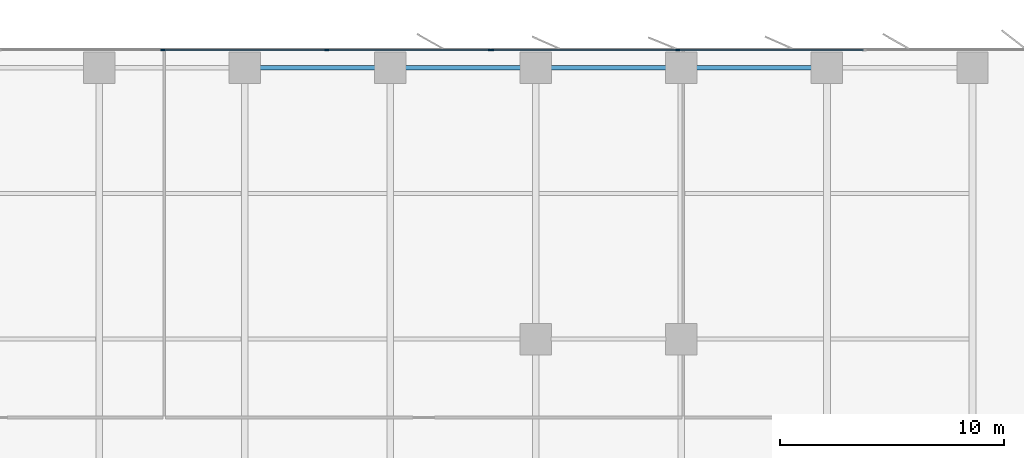
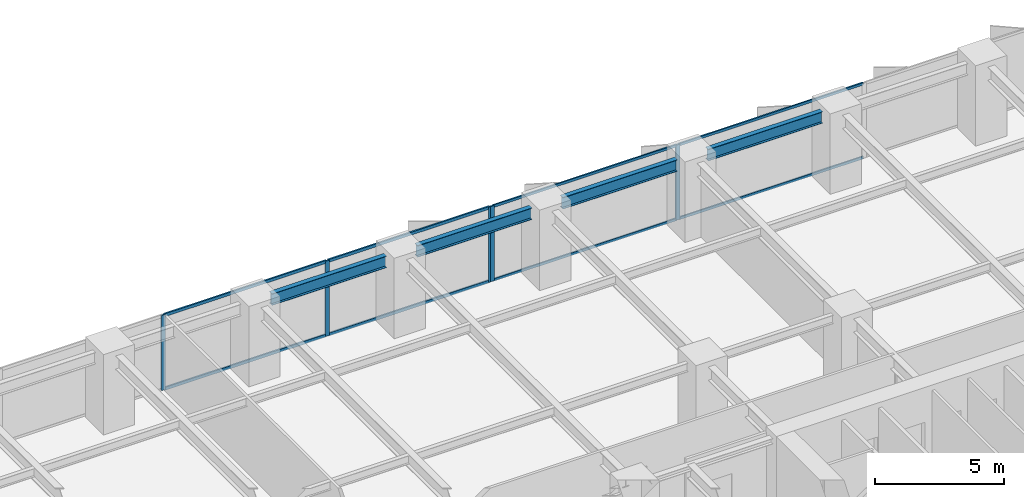
# One storey, part 9 of 20: 13 members, 4 beams, 2 elements without a shape of their own.
"""IFC4 building model written with IfcOpenShell, lengths in metres."""

from ifc_helpers import new_model, si_unit, direction, frame, origin, origin_2d, place, context, subcontext, project, spatial, rectangle, i_section, extrude, material, layer, layer_set, material_profile, profile_set, type_object, element, aggregate, save


model = new_model("IFC4")

# Units and contexts
model_context = context("Model", 3, precision=1e-05, world=origin(), true_north=direction((0.0, 1.0)))
body_context = subcontext(model_context, "Body", "Model", "MODEL_VIEW")
ifc_project = project(units=[si_unit("LENGTHUNIT", "METRE"), si_unit("AREAUNIT", "SQUARE_METRE"), si_unit("VOLUMEUNIT", "CUBIC_METRE"), si_unit("PLANEANGLEUNIT", "RADIAN"), si_unit("MASSUNIT", "GRAM", prefix="KILO")], contexts=[model_context])

# Site, building, storey
site_placement = place(None, origin())
site = spatial("IfcSite", under=ifc_project, at=site_placement, CompositionType="ELEMENT")
building_placement = place(site_placement, origin())
building = spatial("IfcBuilding", under=site, at=building_placement, Name="Putna Gate Headquarters", CompositionType="ELEMENT")
storey_placement = place(building_placement, frame((0.0, 0.0, 43.0)))
storey = spatial("IfcBuildingStorey", under=building, at=storey_placement, Name="L09", CompositionType="ELEMENT", Elevation=43.0)

# Beams
ifc_material_1 = material(Name="Steel S355J2", Category="steel")
ifc_material_profile_1 = material_profile(ifc_material_1, i_section(OverallWidth=0.2099609375, OverallDepth=0.550048828125, WebThickness=0.010986328125, FlangeThickness=0.01708984375, at=origin_2d()), Name="Steel S355J2")
ifc_profile_set_1 = profile_set([ifc_material_profile_1], Name="Steel S355J2")
beam_type = type_object("IfcBeamType", Name="BM-SPAN-Z1-IPE550", PredefinedType="SPANDREL", material=ifc_profile_set_1)
for number, where, z_axis, x_axis, name in (
    (1, (39.68798828125, 51.1201171875, 3.27490234375), (1.0, 0.0, 0.0), (0.0, 1.0, 0.0), "L09 N Perimeter Spandrel 6"),
    (2, (46.18798828125, 51.1201171875, 3.27490234375), (1.0, 0.0, 0.0), (0.0, 1.0, 0.0), "L09 N Perimeter Spandrel 7"),
    (3, (52.68798828125, 51.1201171875, 3.27490234375), (1.0, 0.0, 0.0), (0.0, 1.0, 0.0), "L09 N Perimeter Spandrel 8"),
    (4, (59.18798828125, 51.1201171875, 3.27490234375), (1.0, 0.0, 0.0), (0.0, 1.0, 0.0), "L09 N Perimeter Spandrel 9"),
):
    element("IfcBeam", number, at=place(storey_placement, frame(where, z_axis=z_axis, x_axis=x_axis)), inside=storey, type_object=beam_type, Name=name, PredefinedType="SPANDREL", context=body_context, shape_type="SweptSolid", body=[
        extrude(i_section(OverallWidth=0.2099609375, OverallDepth=0.550048828125, WebThickness=0.010986328125, FlangeThickness=0.01708984375, at=origin_2d()), origin(), (0.0, 0.0, 1.0), 5.1240234375),
    ])

# Curtain wall, members
ifc_material_2 = material(Name="Anodised bronze aluminium curtain wall", Category="aluminium")
ifc_layer_1 = layer(ifc_material_2, 0.179931640625)
ifc_layer_set_1 = layer_set([ifc_layer_1], Name="Anodised bronze aluminium curtain wall")
curtain_wall_type_1 = type_object("IfcCurtainWallType", Name="CW-SYS-Z1", PredefinedType="USERDEFINED", material=ifc_layer_set_1)
curtain_wall_1_placement = place(storey_placement, origin())
curtain_wall_1 = element("IfcCurtainWall", 5, at=curtain_wall_1_placement, inside=storey, type_object=curtain_wall_type_1, Name="L09 North East Curtain Wall", ObjectType="STICK CURTAIN WALL", PredefinedType="USERDEFINED")
ifc_material_3 = material(Name="Anodised bronze aluminium EN AW-6060", Category="aluminium")
ifc_material_profile_2 = material_profile(ifc_material_3, rectangle(XDim=0.070068359375, YDim=0.179931640625, at=origin_2d()), Name="Anodised bronze aluminium EN AW-6060")
ifc_profile_set_2 = profile_set([ifc_material_profile_2], Name="Anodised bronze aluminium EN AW-6060")
member_type_1 = type_object("IfcMemberType", Name="MULL-CWM-1", PredefinedType="MULLION", material=ifc_profile_set_2)
member_1_placement = place(storey_placement, frame((50.034912109375, 51.919921875, 0.0), z_axis=(0.0, 0.0, 1.0), x_axis=(0.0, 1.0, 0.0)))
member_1 = element("IfcMember", 6, at=member_1_placement, type_object=member_type_1, Name="CWS-1 mullion 1", PredefinedType="MULLION", context=body_context, shape_type="SweptSolid", body=[
    extrude(rectangle(XDim=0.070068359375, YDim=0.179931640625, at=origin_2d()), origin(), (0.0, 0.0, 1.0), 3.550048828125),
])
member_2_placement = place(storey_placement, frame((58.333251953125, 51.919921875, 0.0), z_axis=(0.0, 0.0, 1.0), x_axis=(0.0, 1.0, 0.0)))
member_2 = element("IfcMember", 7, at=member_2_placement, type_object=member_type_1, Name="CWS-1 mullion 2", PredefinedType="MULLION", context=body_context, shape_type="SweptSolid", body=[
    extrude(rectangle(XDim=0.070068359375, YDim=0.179931640625, at=origin_2d()), origin(), (0.0, 0.0, 1.0), 3.550048828125),
])

ifc_layer_2 = layer(ifc_material_2, 0.179931640625)
ifc_layer_set_2 = layer_set([ifc_layer_2], Name="Anodised bronze aluminium curtain wall")
curtain_wall_type_2 = type_object("IfcCurtainWallType", Name="CW-SYS-ATR", PredefinedType="USERDEFINED", material=ifc_layer_set_2)
curtain_wall_2_placement = place(storey_placement, origin())
curtain_wall_2 = element("IfcCurtainWall", 8, at=curtain_wall_2_placement, inside=storey, type_object=curtain_wall_type_2, Name="L09 North Atrium Clear Glazing", ObjectType="ATRIUM GLAZING", PredefinedType="USERDEFINED")
ifc_material_profile_3 = material_profile(ifc_material_3, rectangle(XDim=0.070068359375, YDim=0.179931640625, at=origin_2d()), Name="Anodised bronze aluminium EN AW-6060")
ifc_profile_set_3 = profile_set([ifc_material_profile_3], Name="Anodised bronze aluminium EN AW-6060")
member_type_2 = type_object("IfcMemberType", Name="MULL-CWM-AT", PredefinedType="MULLION", material=ifc_profile_set_3)
member_3_placement = place(storey_placement, frame((35.333251953125, 51.919921875, 0.0), z_axis=(0.0, 0.0, 1.0), x_axis=(0.0, 1.0, 0.0)))
member_3 = element("IfcMember", 9, at=member_3_placement, type_object=member_type_2, Name="CWS-AT mullion 2", PredefinedType="MULLION", context=body_context, shape_type="SweptSolid", body=[
    extrude(rectangle(XDim=0.070068359375, YDim=0.179931640625, at=origin_2d()), origin(), (0.0, 0.0, 1.0), 3.550048828125),
])
member_4_placement = place(storey_placement, frame((42.666748046875, 51.919921875, 0.0), z_axis=(0.0, 0.0, 1.0), x_axis=(0.0, 1.0, 0.0)))
member_4 = element("IfcMember", 10, at=member_4_placement, type_object=member_type_2, Name="CWS-AT mullion 3", PredefinedType="MULLION", context=body_context, shape_type="SweptSolid", body=[
    extrude(rectangle(XDim=0.070068359375, YDim=0.179931640625, at=origin_2d()), origin(), (0.0, 0.0, 1.0), 3.550048828125),
])
member_5_placement = place(storey_placement, frame((49.965087890625, 51.919921875, 0.0), z_axis=(0.0, 0.0, 1.0), x_axis=(0.0, 1.0, 0.0)))
member_5 = element("IfcMember", 11, at=member_5_placement, type_object=member_type_2, Name="CWS-AT mullion 4", PredefinedType="MULLION", context=body_context, shape_type="SweptSolid", body=[
    extrude(rectangle(XDim=0.070068359375, YDim=0.179931640625, at=origin_2d()), origin(), (0.0, 0.0, 1.0), 3.550048828125),
])

# Member
ifc_material_profile_4 = material_profile(ifc_material_3, rectangle(XDim=0.06494140625, YDim=0.1201171875, at=origin_2d()), Name="Anodised bronze aluminium EN AW-6060")
ifc_profile_set_4 = profile_set([ifc_material_profile_4], Name="Anodised bronze aluminium EN AW-6060")
member_type_3 = type_object("IfcMemberType", Name="TRAN-CWT-1", PredefinedType="USERDEFINED", material=ifc_profile_set_4)
member_6_placement = place(storey_placement, frame((50.070068359375, 51.919921875, 0.032470703125), z_axis=(1.0, 0.0, 0.0), x_axis=(0.0, 1.0, 0.0)))
member_6 = element("IfcMember", 12, at=member_6_placement, type_object=member_type_3, Name="CWS-1 transom 1.1", ObjectType="TRANSOM", PredefinedType="USERDEFINED", context=body_context, shape_type="SweptSolid", body=[
    extrude(rectangle(XDim=0.06494140625, YDim=0.1201171875, at=origin_2d()), origin(), (0.0, 0.0, 1.0), 8.228271484375),
])

member_7_placement = place(storey_placement, frame((50.070068359375, 51.919921875, 3.517578125), z_axis=(1.0, 0.0, 0.0), x_axis=(0.0, 1.0, 0.0)))
member_7 = element("IfcMember", 13, at=member_7_placement, type_object=member_type_3, Name="CWS-1 transom 1.2", ObjectType="TRANSOM", PredefinedType="USERDEFINED", context=body_context, shape_type="SweptSolid", body=[
    extrude(rectangle(XDim=0.06494140625, YDim=0.1201171875, at=origin_2d()), origin(), (0.0, 0.0, 1.0), 8.228271484375),
])

member_8_placement = place(storey_placement, frame((58.368408203125, 51.919921875, 0.032470703125), z_axis=(1.0, 0.0, 0.0), x_axis=(0.0, 1.0, 0.0)))
member_8 = element("IfcMember", 14, at=member_8_placement, type_object=member_type_3, Name="CWS-1 transom 2.1", ObjectType="TRANSOM", PredefinedType="USERDEFINED", context=body_context, shape_type="SweptSolid", body=[
    extrude(rectangle(XDim=0.06494140625, YDim=0.1201171875, at=origin_2d()), origin(), (0.0, 0.0, 1.0), 8.26318359375),
])

member_9_placement = place(storey_placement, frame((58.368408203125, 51.919921875, 3.517578125), z_axis=(1.0, 0.0, 0.0), x_axis=(0.0, 1.0, 0.0)))
member_9 = element("IfcMember", 15, at=member_9_placement, type_object=member_type_3, Name="CWS-1 transom 2.2", ObjectType="TRANSOM", PredefinedType="USERDEFINED", context=body_context, shape_type="SweptSolid", body=[
    extrude(rectangle(XDim=0.06494140625, YDim=0.1201171875, at=origin_2d()), origin(), (0.0, 0.0, 1.0), 8.26318359375),
])

aggregate(curtain_wall_1, [member_1, member_2, member_6, member_7, member_8, member_9])

ifc_material_profile_5 = material_profile(ifc_material_3, rectangle(XDim=0.070068359375, YDim=0.139892578125, at=origin_2d()), Name="Anodised bronze aluminium EN AW-6060")
ifc_profile_set_5 = profile_set([ifc_material_profile_5], Name="Anodised bronze aluminium EN AW-6060")
member_type_4 = type_object("IfcMemberType", Name="TRAN-CWT-AT", PredefinedType="USERDEFINED", material=ifc_profile_set_5)
member_10_placement = place(storey_placement, frame((35.368408203125, 51.919921875, 0.034912109375), z_axis=(1.0, 0.0, 0.0), x_axis=(0.0, 1.0, 0.0)))
member_10 = element("IfcMember", 16, at=member_10_placement, type_object=member_type_4, Name="CWS-AT transom 2.1", ObjectType="TRANSOM", PredefinedType="USERDEFINED", context=body_context, shape_type="SweptSolid", body=[
    extrude(rectangle(XDim=0.070068359375, YDim=0.139892578125, at=origin_2d()), origin(), (0.0, 0.0, 1.0), 7.26318359375),
])

member_11_placement = place(storey_placement, frame((35.368408203125, 51.919921875, 3.514892578125), z_axis=(1.0, 0.0, 0.0), x_axis=(0.0, 1.0, 0.0)))
member_11 = element("IfcMember", 17, at=member_11_placement, type_object=member_type_4, Name="CWS-AT transom 2.2", ObjectType="TRANSOM", PredefinedType="USERDEFINED", context=body_context, shape_type="SweptSolid", body=[
    extrude(rectangle(XDim=0.070068359375, YDim=0.139892578125, at=origin_2d()), origin(), (0.0, 0.0, 1.0), 7.26318359375),
])

member_12_placement = place(storey_placement, frame((42.70166015625, 51.919921875, 0.034912109375), z_axis=(1.0, 0.0, 0.0), x_axis=(0.0, 1.0, 0.0)))
member_12 = element("IfcMember", 18, at=member_12_placement, type_object=member_type_4, Name="CWS-AT transom 3.1", ObjectType="TRANSOM", PredefinedType="USERDEFINED", context=body_context, shape_type="SweptSolid", body=[
    extrude(rectangle(XDim=0.070068359375, YDim=0.139892578125, at=origin_2d()), origin(), (0.0, 0.0, 1.0), 7.228271484375),
])

member_13_placement = place(storey_placement, frame((42.70166015625, 51.919921875, 3.514892578125), z_axis=(1.0, 0.0, 0.0), x_axis=(0.0, 1.0, 0.0)))
member_13 = element("IfcMember", 19, at=member_13_placement, type_object=member_type_4, Name="CWS-AT transom 3.2", ObjectType="TRANSOM", PredefinedType="USERDEFINED", context=body_context, shape_type="SweptSolid", body=[
    extrude(rectangle(XDim=0.070068359375, YDim=0.139892578125, at=origin_2d()), origin(), (0.0, 0.0, 1.0), 7.228271484375),
])

aggregate(curtain_wall_2, [member_3, member_4, member_5, member_10, member_11, member_12, member_13])

save(model, "model.ifc")
